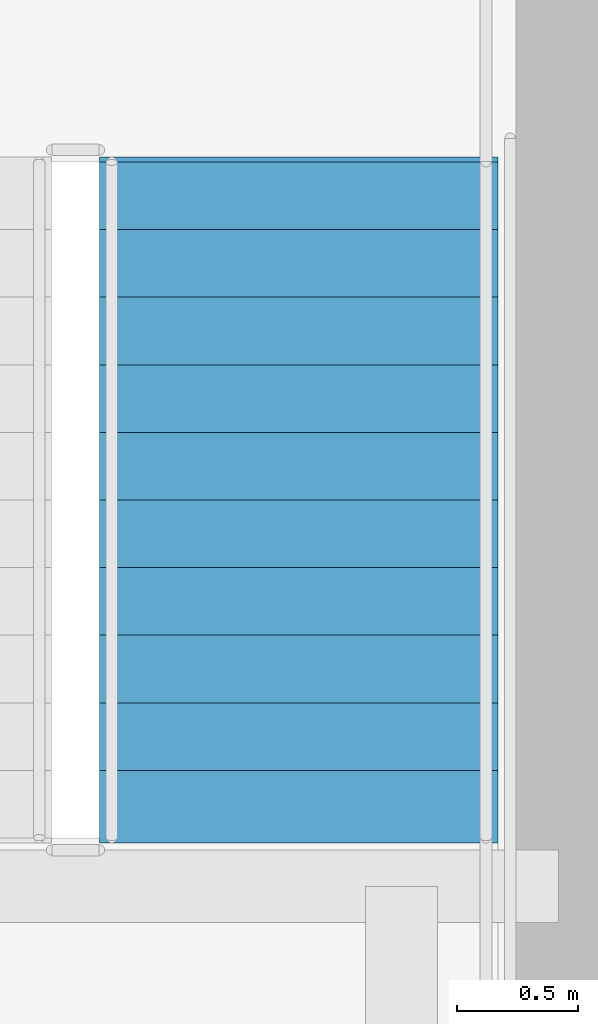
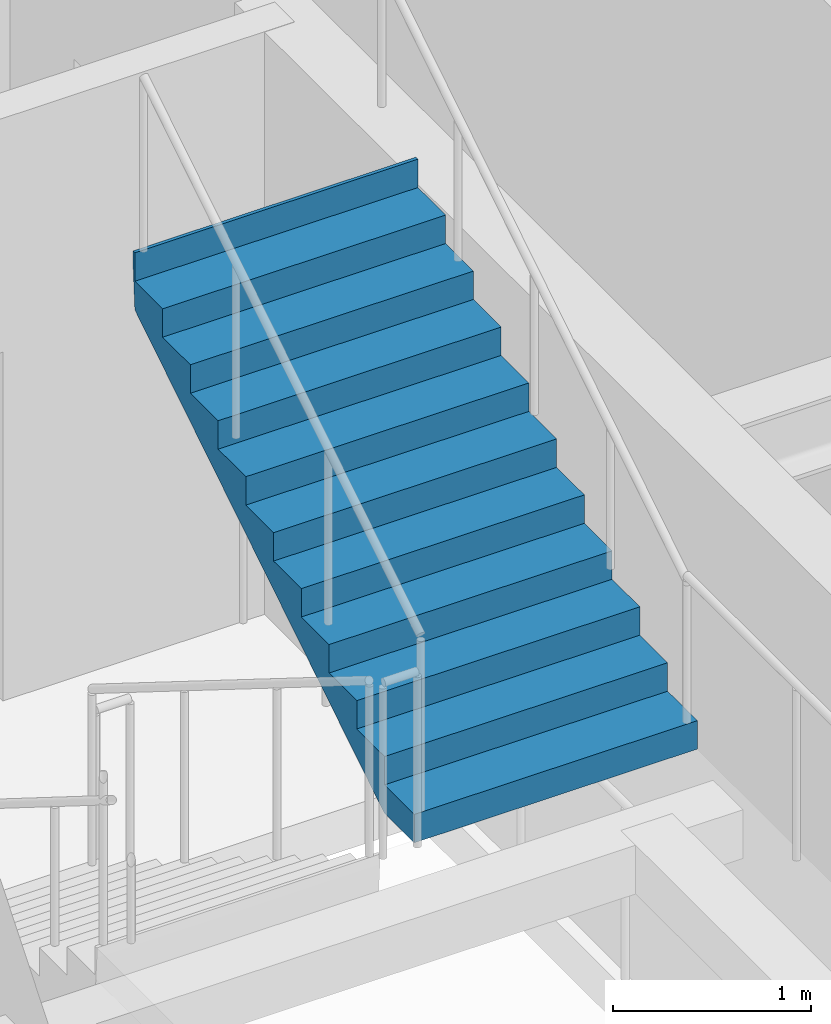
# One storey, part 31 of 36: 1 stair flight, 1 element without a shape of its own.
"""IFC4 building model written with IfcOpenShell, lengths in metres."""

from ifc_helpers import new_model, si_unit, direction, frame, origin, place, context, subcontext, project, spatial, polygons, material, type_object, element, aggregate, save


model = new_model("IFC4")

# Units and contexts
model_context = context("Model", 3, precision=1e-05, world=origin(), true_north=direction((0.0, 1.0)))
body_context = subcontext(model_context, "Body", "Model", "MODEL_VIEW")
ifc_project = project(units=[si_unit("LENGTHUNIT", "METRE"), si_unit("AREAUNIT", "SQUARE_METRE"), si_unit("VOLUMEUNIT", "CUBIC_METRE"), si_unit("PLANEANGLEUNIT", "RADIAN"), si_unit("MASSUNIT", "GRAM", prefix="KILO")], contexts=[model_context])

# Site, building, storey
site_placement = place(None, origin())
site = spatial("IfcSite", under=ifc_project, at=site_placement, CompositionType="ELEMENT")
building_placement = place(site_placement, origin())
building = spatial("IfcBuilding", under=site, at=building_placement, Name="Serunith Strait Residences", CompositionType="ELEMENT")
storey_placement = place(building_placement, frame((0.0, 0.0, 225.85009765625)))
storey = spatial("IfcBuildingStorey", under=building, at=storey_placement, Name="L56", CompositionType="ELEMENT", Elevation=225.85009765625)

# Stair, stair flight
ifc_material = material(Name="Concrete C50/60", Category="concrete")
stair_type = type_object("IfcStairType", Name="STR-CORE-2", PredefinedType="HALF_TURN_STAIR", material=ifc_material)
stair_placement = place(storey_placement, origin())
stair = element("IfcStair", 1, at=stair_placement, inside=storey, type_object=stair_type, Name="L56 Protected Escape Stair ST-2", PredefinedType="HALF_TURN_STAIR")
stair_flight_type = type_object("IfcStairFlightType", Name="FLT-CORE-2", PredefinedType="STRAIGHT", material=ifc_material)
stair_flight_placement = place(storey_placement, frame((40.324951171875, 20.570068359375, 1.9248046875), z_axis=(0.0, 0.0, 1.0), x_axis=(0.0, 1.0, 0.0)))
stair_flight = element("IfcStairFlight", 2, at=stair_flight_placement, type_object=stair_flight_type, Name="ST-2 flight 2", NumberOfRisers=11, NumberOfTreads=10, PredefinedType="STRAIGHT", RiserHeight=0.175, TreadLength=0.28, context=body_context, shape_type="Tessellation", body=[
    polygons([(-0.02001953125, -0.824951171875, 0.0), (-0.02001953125, -0.824951171875, 0.175048828125), (0.280029296875, -0.824951171875, 0.175048828125), (0.280029296875, -0.824951171875, 0.35009765625), (0.56005859375, -0.824951171875, 0.35009765625), (0.56005859375, -0.824951171875, 0.52490234375), (0.840087890625, -0.824951171875, 0.52490234375), (0.840087890625, -0.824951171875, 0.699951171875), (1.1201171875, -0.824951171875, 0.699951171875), (1.1201171875, -0.824951171875, 0.875), (1.39990234375, -0.824951171875, 0.875), (1.39990234375, -0.824951171875, 1.050048828125), (1.679931640625, -0.824951171875, 1.050048828125), (1.679931640625, -0.824951171875, 1.22509765625), (1.9599609375, -0.824951171875, 1.22509765625), (1.9599609375, -0.824951171875, 1.39990234375), (2.239990234375, -0.824951171875, 1.39990234375), (2.239990234375, -0.824951171875, 1.574951171875), (2.52001953125, -0.824951171875, 1.574951171875), (2.52001953125, -0.824951171875, 1.75), (2.800048828125, -0.824951171875, 1.75), (2.800048828125, -0.824951171875, 1.925048828125), (2.820068359375, -0.824951171875, 1.925048828125), (2.820068359375, -0.824951171875, 1.864990234375), (2.800048828125, -0.824951171875, 1.5732421875), (0.28271484375, -0.824951171875, 0.0), (-0.02001953125, -0.41259765625, 0.0), (-0.02001953125, -0.41259765625, 0.175048828125), (0.280029296875, -0.41259765625, 0.175048828125), (0.280029296875, -0.41259765625, 0.35009765625), (0.56005859375, -0.41259765625, 0.35009765625), (0.56005859375, -0.41259765625, 0.52490234375), (0.840087890625, -0.41259765625, 0.52490234375), (0.840087890625, -0.41259765625, 0.699951171875), (1.1201171875, -0.41259765625, 0.699951171875), (1.1201171875, -0.41259765625, 0.875), (1.39990234375, -0.41259765625, 0.875), (1.39990234375, -0.41259765625, 1.050048828125), (1.679931640625, -0.41259765625, 1.050048828125), (1.679931640625, -0.41259765625, 1.22509765625), (1.9599609375, -0.41259765625, 1.22509765625), (1.9599609375, -0.41259765625, 1.39990234375), (2.239990234375, -0.41259765625, 1.39990234375), (2.239990234375, -0.41259765625, 1.574951171875), (2.52001953125, -0.41259765625, 1.574951171875), (2.52001953125, -0.41259765625, 1.75), (2.800048828125, -0.41259765625, 1.75), (2.800048828125, -0.41259765625, 1.925048828125), (2.820068359375, -0.41259765625, 1.925048828125), (2.820068359375, -0.41259765625, 1.864990234375), (2.800048828125, -0.41259765625, 1.5732421875), (0.28271484375, -0.41259765625, 0.0), (-0.02001953125, 0.0, 0.0), (-0.02001953125, 0.0, 0.175048828125), (0.280029296875, 0.0, 0.175048828125), (0.280029296875, 0.0, 0.35009765625), (0.56005859375, 0.0, 0.35009765625), (0.56005859375, 0.0, 0.52490234375), (0.840087890625, 0.0, 0.52490234375), (0.840087890625, 0.0, 0.699951171875), (1.1201171875, 0.0, 0.699951171875), (1.1201171875, 0.0, 0.875), (1.39990234375, 0.0, 0.875), (1.39990234375, 0.0, 1.050048828125), (1.679931640625, 0.0, 1.050048828125), (1.679931640625, 0.0, 1.22509765625), (1.9599609375, 0.0, 1.22509765625), (1.9599609375, 0.0, 1.39990234375), (2.239990234375, 0.0, 1.39990234375), (2.239990234375, 0.0, 1.574951171875), (2.52001953125, 0.0, 1.574951171875), (2.52001953125, 0.0, 1.75), (2.800048828125, 0.0, 1.75), (2.800048828125, 0.0, 1.925048828125), (2.820068359375, 0.0, 1.925048828125), (2.820068359375, 0.0, 1.864990234375), (2.800048828125, 0.0, 1.5732421875), (0.28271484375, 0.0, 0.0), (-0.02001953125, 0.41259765625, 0.0), (-0.02001953125, 0.41259765625, 0.175048828125), (0.280029296875, 0.41259765625, 0.175048828125), (0.280029296875, 0.41259765625, 0.35009765625), (0.56005859375, 0.41259765625, 0.35009765625), (0.56005859375, 0.41259765625, 0.52490234375), (0.840087890625, 0.41259765625, 0.52490234375), (0.840087890625, 0.41259765625, 0.699951171875), (1.1201171875, 0.41259765625, 0.699951171875), (1.1201171875, 0.41259765625, 0.875), (1.39990234375, 0.41259765625, 0.875), (1.39990234375, 0.41259765625, 1.050048828125), (1.679931640625, 0.41259765625, 1.050048828125), (1.679931640625, 0.41259765625, 1.22509765625), (1.9599609375, 0.41259765625, 1.22509765625), (1.9599609375, 0.41259765625, 1.39990234375), (2.239990234375, 0.41259765625, 1.39990234375), (2.239990234375, 0.41259765625, 1.574951171875), (2.52001953125, 0.41259765625, 1.574951171875), (2.52001953125, 0.41259765625, 1.75), (2.800048828125, 0.41259765625, 1.75), (2.800048828125, 0.41259765625, 1.925048828125), (2.820068359375, 0.41259765625, 1.925048828125), (2.820068359375, 0.41259765625, 1.864990234375), (2.800048828125, 0.41259765625, 1.5732421875), (0.28271484375, 0.41259765625, 0.0), (-0.02001953125, 0.824951171875, 0.0), (-0.02001953125, 0.824951171875, 0.175048828125), (0.280029296875, 0.824951171875, 0.175048828125), (0.280029296875, 0.824951171875, 0.35009765625), (0.56005859375, 0.824951171875, 0.35009765625), (0.56005859375, 0.824951171875, 0.52490234375), (0.840087890625, 0.824951171875, 0.52490234375), (0.840087890625, 0.824951171875, 0.699951171875), (1.1201171875, 0.824951171875, 0.699951171875), (1.1201171875, 0.824951171875, 0.875), (1.39990234375, 0.824951171875, 0.875), (1.39990234375, 0.824951171875, 1.050048828125), (1.679931640625, 0.824951171875, 1.050048828125), (1.679931640625, 0.824951171875, 1.22509765625), (1.9599609375, 0.824951171875, 1.22509765625), (1.9599609375, 0.824951171875, 1.39990234375), (2.239990234375, 0.824951171875, 1.39990234375), (2.239990234375, 0.824951171875, 1.574951171875), (2.52001953125, 0.824951171875, 1.574951171875), (2.52001953125, 0.824951171875, 1.75), (2.800048828125, 0.824951171875, 1.75), (2.800048828125, 0.824951171875, 1.925048828125), (2.820068359375, 0.824951171875, 1.925048828125), (2.820068359375, 0.824951171875, 1.864990234375), (2.800048828125, 0.824951171875, 1.5732421875), (0.28271484375, 0.824951171875, 0.0)], [[[1, 2, 28, 27]], [[2, 3, 29, 28]], [[3, 4, 30, 29]], [[4, 5, 31, 30]], [[5, 6, 32, 31]], [[6, 7, 33, 32]], [[7, 8, 34, 33]], [[8, 9, 35, 34]], [[9, 10, 36, 35]], [[10, 11, 37, 36]], [[11, 12, 38, 37]], [[12, 13, 39, 38]], [[13, 14, 40, 39]], [[14, 15, 41, 40]], [[15, 16, 42, 41]], [[16, 17, 43, 42]], [[17, 18, 44, 43]], [[18, 19, 45, 44]], [[19, 20, 46, 45]], [[20, 21, 47, 46]], [[21, 22, 48, 47]], [[22, 23, 49, 48]], [[23, 24, 50, 49]], [[24, 25, 51, 50]], [[25, 26, 52, 51]], [[26, 1, 27, 52]], [[27, 28, 54, 53]], [[28, 29, 55, 54]], [[29, 30, 56, 55]], [[30, 31, 57, 56]], [[31, 32, 58, 57]], [[32, 33, 59, 58]], [[33, 34, 60, 59]], [[34, 35, 61, 60]], [[35, 36, 62, 61]], [[36, 37, 63, 62]], [[37, 38, 64, 63]], [[38, 39, 65, 64]], [[39, 40, 66, 65]], [[40, 41, 67, 66]], [[41, 42, 68, 67]], [[42, 43, 69, 68]], [[43, 44, 70, 69]], [[44, 45, 71, 70]], [[45, 46, 72, 71]], [[46, 47, 73, 72]], [[47, 48, 74, 73]], [[48, 49, 75, 74]], [[49, 50, 76, 75]], [[50, 51, 77, 76]], [[51, 52, 78, 77]], [[52, 27, 53, 78]], [[53, 54, 80, 79]], [[54, 55, 81, 80]], [[55, 56, 82, 81]], [[56, 57, 83, 82]], [[57, 58, 84, 83]], [[58, 59, 85, 84]], [[59, 60, 86, 85]], [[60, 61, 87, 86]], [[61, 62, 88, 87]], [[62, 63, 89, 88]], [[63, 64, 90, 89]], [[64, 65, 91, 90]], [[65, 66, 92, 91]], [[66, 67, 93, 92]], [[67, 68, 94, 93]], [[68, 69, 95, 94]], [[69, 70, 96, 95]], [[70, 71, 97, 96]], [[71, 72, 98, 97]], [[72, 73, 99, 98]], [[73, 74, 100, 99]], [[74, 75, 101, 100]], [[75, 76, 102, 101]], [[76, 77, 103, 102]], [[77, 78, 104, 103]], [[78, 53, 79, 104]], [[79, 80, 106, 105]], [[80, 81, 107, 106]], [[81, 82, 108, 107]], [[82, 83, 109, 108]], [[83, 84, 110, 109]], [[84, 85, 111, 110]], [[85, 86, 112, 111]], [[86, 87, 113, 112]], [[87, 88, 114, 113]], [[88, 89, 115, 114]], [[89, 90, 116, 115]], [[90, 91, 117, 116]], [[91, 92, 118, 117]], [[92, 93, 119, 118]], [[93, 94, 120, 119]], [[94, 95, 121, 120]], [[95, 96, 122, 121]], [[96, 97, 123, 122]], [[97, 98, 124, 123]], [[98, 99, 125, 124]], [[99, 100, 126, 125]], [[100, 101, 127, 126]], [[101, 102, 128, 127]], [[102, 103, 129, 128]], [[103, 104, 130, 129]], [[104, 79, 105, 130]], [[26, 25, 24, 23, 22, 21, 20, 19, 18, 17, 16, 15, 14, 13, 12, 11, 10, 9, 8, 7, 6, 5, 4, 3, 2, 1]], [[105, 106, 107, 108, 109, 110, 111, 112, 113, 114, 115, 116, 117, 118, 119, 120, 121, 122, 123, 124, 125, 126, 127, 128, 129, 130]]], closed=True),
])
aggregate(stair, [stair_flight])

save(model, "model.ifc")
